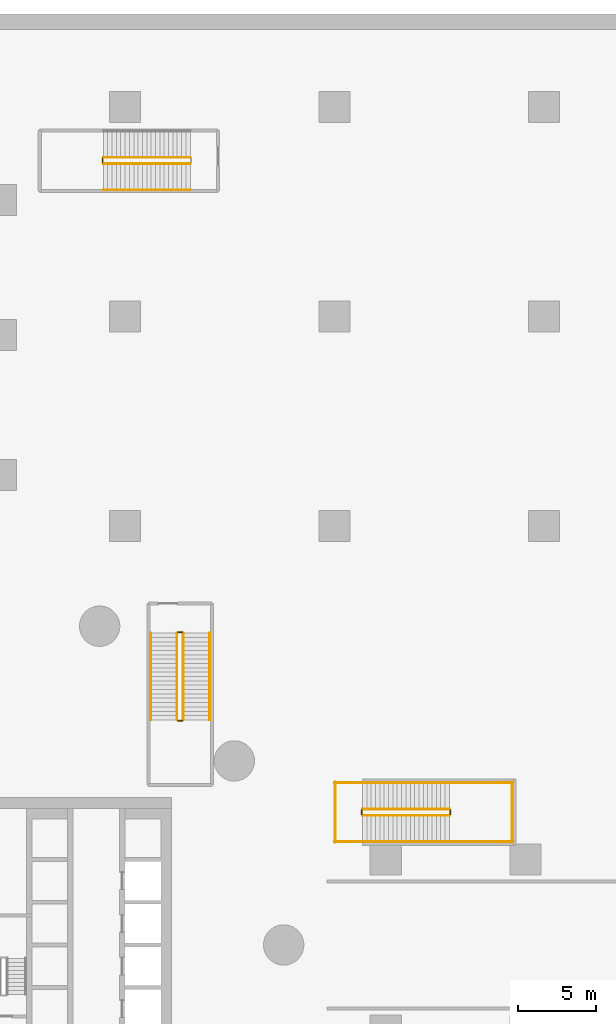
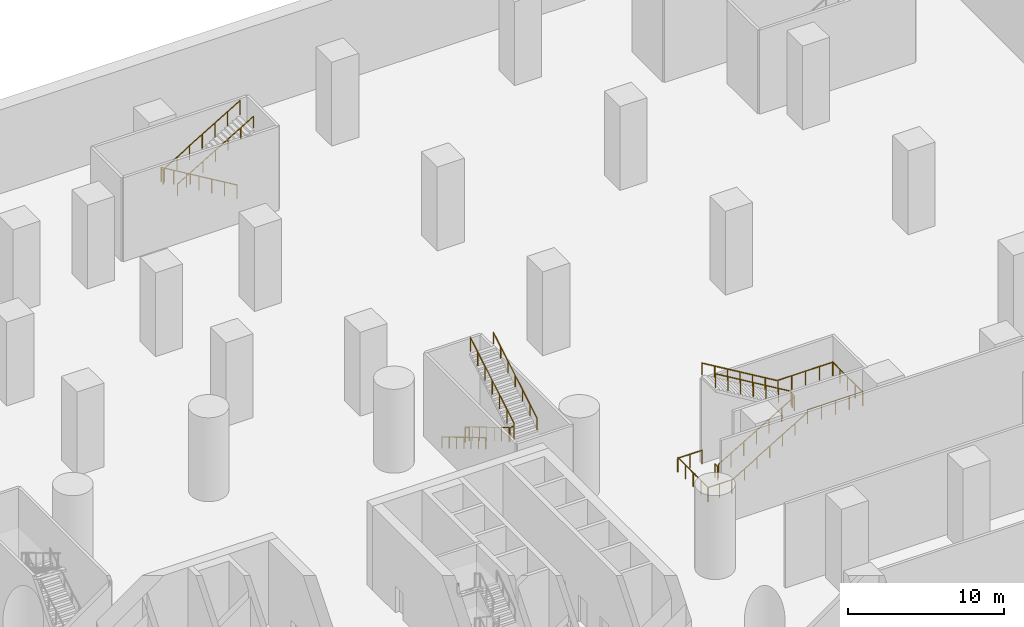
# One storey, part 26 of 30: 22 railings.
"""IFC4 building model written with IfcOpenShell, lengths in metres."""

import ifcopenshell
import ifcopenshell.guid

model = None  # the IFC model being written
_history = None  # IfcOwnerHistory: only IFC2X3 demands one
_inside = {}  # id of a spatial element -> (the spatial element, [elements in it])
_under = {}  # id of a project, library or spatial element -> (it, [spatial elements below it])
_declared = {}  # id of a project -> (the project, [libraries it declares])
_typed = {}  # id of a type object -> (the type object, [elements of that type])
_made_of = {}  # id of a material, layer set ... -> (it, [elements and type objects made of it])


def new_model(schema):
    """Start an empty IFC model of exactly this schema.

    Asked for "IFC4X3", IfcOpenShell would pick the latest addendum, in which some entities
    have other attributes; the version numbers below select the first issue.
    IFC2X3 requires an IfcOwnerHistory on every rooted entity: one is made here for all.
    """
    global model, _history
    if schema == "IFC4X3":
        model = ifcopenshell.file(schema_version=(4, 3, 0, 0))
    else:
        model = ifcopenshell.file(schema=schema)
    _inside.clear()
    _under.clear()
    _declared.clear()
    _typed.clear()
    _made_of.clear()
    _history = None
    if model.schema == "IFC2X3":
        org = make("IfcOrganization", Name="unknown")
        user = make(
            "IfcPersonAndOrganization",
            ThePerson=make("IfcPerson", FamilyName="unknown"),
            TheOrganization=org,
        )
        app = make(
            "IfcApplication",
            ApplicationDeveloper=org,
            Version="unknown",
            ApplicationFullName="unknown",
            ApplicationIdentifier="unknown",
        )
        _history = make(
            "IfcOwnerHistory",
            OwningUser=user,
            OwningApplication=app,
            ChangeAction="ADDED",
            CreationDate=0,
        )
    return model


def make(cls, **values):
    """One entity of the class cls with the attributes given. An attribute that is None is left unset."""
    return model.create_entity(
        cls, **{name: value for name, value in values.items() if value is not None}
    )


def rooted(cls, **values):
    """An entity with a GlobalId (a new one), such as an element, a storey or a relation."""
    return make(cls, GlobalId=ifcopenshell.guid.new(), OwnerHistory=_history, **values)


def si_unit(unit_type, name, prefix=None):
    """IfcSIUnit, for example si_unit("LENGTHUNIT", "METRE", prefix="MILLI")."""
    return make("IfcSIUnit", UnitType=unit_type, Prefix=prefix, Name=name)


def assignment(units):
    """IfcUnitAssignment: the units of a project."""
    return None if units is None else make("IfcUnitAssignment", Units=units)


def point(xyz):
    """IfcCartesianPoint."""
    return None if xyz is None else make("IfcCartesianPoint", Coordinates=xyz)


def direction(xyz):
    """IfcDirection."""
    return None if xyz is None else make("IfcDirection", DirectionRatios=xyz)


def frame(location, z_axis=None, x_axis=None):
    """IfcAxis2Placement3D, a coordinate frame: its origin and axes. An axis left out is left unset."""
    return make(
        "IfcAxis2Placement3D",
        Location=point(location),
        Axis=direction(z_axis),
        RefDirection=direction(x_axis),
    )


def frame_2d(location, x_axis=None):
    """IfcAxis2Placement2D, a coordinate frame in the plane: its origin and x axis."""
    return make(
        "IfcAxis2Placement2D", Location=point(location), RefDirection=direction(x_axis)
    )


def origin():
    """The frame at (0, 0, 0) with its axes left unset."""
    return frame((0.0, 0.0, 0.0))


def origin_2d():
    """The frame at (0, 0) in the plane with its x axis left unset."""
    return frame_2d((0.0, 0.0))


def place(relative_to, where):
    """IfcLocalPlacement: puts the frame where relative to a parent placement (None: the world)."""
    return make(
        "IfcLocalPlacement", PlacementRelTo=relative_to, RelativePlacement=where
    )


def context(
    kind, dimensions, precision=None, world=None, true_north=None, identifier=None
):
    """IfcGeometricRepresentationContext, for example the 3D "Model" context."""
    return make(
        "IfcGeometricRepresentationContext",
        ContextIdentifier=identifier,
        ContextType=kind,
        CoordinateSpaceDimension=dimensions,
        Precision=precision,
        WorldCoordinateSystem=world,
        TrueNorth=true_north,
    )


def subcontext(parent, identifier, kind, view, scale=None):
    """IfcGeometricRepresentationSubContext, for example "Body" below "Model"."""
    return make(
        "IfcGeometricRepresentationSubContext",
        ContextIdentifier=identifier,
        ContextType=kind,
        ParentContext=parent,
        TargetScale=scale,
        TargetView=view,
    )


def project(units=None, contexts=None):
    """IfcProject with its units and contexts."""
    return rooted(
        "IfcProject",
        Name="project",
        RepresentationContexts=contexts,
        UnitsInContext=assignment(units),
    )


def spatial(cls, under=None, at=None, **own):
    """A site, building, storey or space (cls), placed at a placement, below another one or the project."""
    s = rooted(cls, ObjectPlacement=at, **own)
    if under is not None:
        _under.setdefault(under.id(), (under, []))[1].append(s)
    return s


def profile(cls, at=None, kind="AREA", **sizes):
    """A parametric profile (cls). Its sizes go by their IFC names, for example OverallWidth=200.0."""
    return make(cls, ProfileType=kind, Position=at, **sizes)


def circle(**sizes):
    """IfcCircleProfileDef."""
    return profile("IfcCircleProfileDef", **sizes)


def extrude(swept, where, along, depth):
    """IfcExtrudedAreaSolid: the profile swept, set in the frame where, extruded along a direction by depth."""
    return make(
        "IfcExtrudedAreaSolid",
        SweptArea=swept,
        Position=where,
        ExtrudedDirection=direction(along),
        Depth=depth,
    )


def shape(context_of_items, identifier, shape_type, items):
    """IfcShapeRepresentation: the items that make up one representation, for example the "Body"."""
    return make(
        "IfcShapeRepresentation",
        ContextOfItems=context_of_items,
        RepresentationIdentifier=identifier,
        RepresentationType=shape_type,
        Items=items,
    )


def material(Name=None, Category=None):
    """IfcMaterial."""
    return make("IfcMaterial", Name=Name, Category=Category)


def made_of(thing, what):
    """Note that an element or type object is made of a material, layer set ...; save() writes the relation."""
    if what is not None:
        _made_of.setdefault(what.id(), (what, []))[1].append(thing)
    return thing


def type_object(cls, material=None, **own):
    """A type object (cls), such as IfcWallType, which elements share."""
    return made_of(rooted(cls, **own), material)


def element(
    cls,
    number,
    at=None,
    inside=None,
    cuts=None,
    type_object=None,
    material=None,
    context=None,
    identifier="Body",
    shape_type=None,
    held_by="IfcProductDefinitionShape",
    body=None,
    shapes=None,
    **own,
):
    """One element of the class cls, such as IfcWall. Its Tag is "e" and its number.

    at: its placement. inside: the storey or other place that contains it. cuts: it is an
    opening in that element (IfcRelVoidsElement). A single representation is given by context,
    identifier, shape_type and body (its items); several are given by shapes. held_by: the class
    of the entity that holds the representations. save() writes the other relations.
    """
    e = rooted(cls, Tag="e%d" % number, ObjectPlacement=at, **own)
    if body is not None:
        shapes = [shape(context, identifier, shape_type, body)]
    if shapes is not None:
        e.Representation = make(held_by, Representations=shapes)
    if inside is not None:
        _inside.setdefault(inside.id(), (inside, []))[1].append(e)
    if cuts is not None:
        rooted(
            "IfcRelVoidsElement", RelatingBuildingElement=cuts, RelatedOpeningElement=e
        )
    if type_object is not None:
        _typed.setdefault(type_object.id(), (type_object, []))[1].append(e)
    return made_of(e, material)


def aggregate(whole, parts):
    """IfcRelAggregates: a whole, such as a stair, and the parts it consists of."""
    return rooted("IfcRelAggregates", RelatingObject=whole, RelatedObjects=parts)


def save(model, path):
    """Write the relations noted so far, then the file.

    IfcRelAggregates (storeys below a building ...), IfcRelContainedInSpatialStructure (elements
    in a storey), IfcRelDefinesByType, IfcRelAssociatesMaterial and IfcRelDeclares: one each for
    every whole, place, type object, material and project.
    """
    for whole, parts in _under.values():
        aggregate(whole, parts)
    for where, things in _inside.values():
        rooted(
            "IfcRelContainedInSpatialStructure",
            RelatedElements=things,
            RelatingStructure=where,
        )
    for kind, things in _typed.values():
        rooted("IfcRelDefinesByType", RelatedObjects=things, RelatingType=kind)
    for what, things in _made_of.values():
        rooted("IfcRelAssociatesMaterial", RelatedObjects=things, RelatingMaterial=what)
    for by, libraries in _declared.values():
        rooted("IfcRelDeclares", RelatingContext=by, RelatedDefinitions=libraries)
    model.write(path)


model = new_model("IFC4")

# Units and contexts
model_context = context("Model", 3, precision=1e-05, world=origin(), true_north=direction((0.0, 1.0)))
body_context = subcontext(model_context, "Body", "Model", "MODEL_VIEW")
ifc_project = project(units=[si_unit("LENGTHUNIT", "METRE"), si_unit("AREAUNIT", "SQUARE_METRE"), si_unit("VOLUMEUNIT", "CUBIC_METRE"), si_unit("PLANEANGLEUNIT", "RADIAN"), si_unit("MASSUNIT", "GRAM", prefix="KILO")], contexts=[model_context])

# Site, building, storey
site_placement = place(None, origin())
site = spatial("IfcSite", under=ifc_project, at=site_placement, CompositionType="ELEMENT")
building_placement = place(site_placement, origin())
building = spatial("IfcBuilding", under=site, at=building_placement, Name="Tamarind Cross Interchange Tower", CompositionType="ELEMENT")
storey_placement = place(building_placement, frame((0.0, 0.0, -14.0)))
storey = spatial("IfcBuildingStorey", under=building, at=storey_placement, Name="B2", CompositionType="ELEMENT", Elevation=-14.0)

# Railings
ifc_material_1 = material(Name="Public stair guard")
railing_type_1 = type_object("IfcRailingType", Name="Public stair guard", PredefinedType="GUARDRAIL", material=ifc_material_1)
railing_1_placement = place(storey_placement, frame((28.800048828125, 8.35009765625, 0.166748046875)))
element("IfcRailing", 1, at=railing_1_placement, inside=storey, type_object=railing_type_1, Name="B2 MS-E stair guard 1", PredefinedType="GUARDRAIL", context=body_context, shape_type="SweptSolid", body=[
    extrude(circle(Radius=0.02392578125, at=origin_2d()), frame((0.0, 0.0, 1.076171875), z_axis=(0.859292492371, 0.0, 0.511484518392), x_axis=(0.0, 1.0, 0.0)), (0.0, 0.0, 1.0), 6.516845703125),
    extrude(circle(Radius=0.02099609375, at=origin_2d()), origin(), (0.0, 0.0, 1.0), 1.052001953125),
    extrude(circle(Radius=0.02099609375, at=origin_2d()), frame((0.933349609375, 0.0, 0.5556640625)), (0.0, 0.0, 1.0), 1.052001953125),
    extrude(circle(Radius=0.02099609375, at=origin_2d()), frame((1.86669921875, 0.0, 1.111083984375)), (0.0, 0.0, 1.0), 1.052001953125),
    extrude(circle(Radius=0.02099609375, at=origin_2d()), frame((2.7998046875, 0.0, 1.66650390625)), (0.0, 0.0, 1.0), 1.052001953125),
    extrude(circle(Radius=0.02099609375, at=origin_2d()), frame((3.733154296875, 0.0, 2.22216796875)), (0.0, 0.0, 1.0), 1.052001953125),
    extrude(circle(Radius=0.02099609375, at=origin_2d()), frame((4.66650390625, 0.0, 2.77783203125)), (0.0, 0.0, 1.0), 1.052001953125),
    extrude(circle(Radius=0.02099609375, at=origin_2d()), frame((5.599853515625, 0.0, 3.333251953125)), (0.0, 0.0, 1.0), 1.052001953125),
])
railing_2_placement = place(storey_placement, frame((34.449951171875, 8.39990234375, 3.5)))
element("IfcRailing", 2, at=railing_2_placement, inside=storey, type_object=railing_type_1, Name="B2 MS-E stair guard 2", PredefinedType="GUARDRAIL", context=body_context, shape_type="SweptSolid", body=[
    extrude(circle(Radius=0.02392578125, at=origin_2d()), frame((0.0, 0.0, 1.076171875), z_axis=(0.0, 1.0, 0.0), x_axis=(-1.0, 0.0, 0.0)), (0.0, 0.0, 1.0), 0.300048828125),
    extrude(circle(Radius=0.02099609375, at=origin_2d()), origin(), (0.0, 0.0, 1.0), 1.052001953125),
    extrude(circle(Radius=0.02099609375, at=origin_2d()), frame((0.0, 0.300048828125, 0.0)), (0.0, 0.0, 1.0), 1.052001953125),
])
for number, where, name in (
    (3, (34.39990234375, 6.64990234375, 3.5), "B2 MS-E stair guard 3"),
    (4, (34.39990234375, 10.449951171875, 3.5), "B2 MS-E stair guard 4"),
):
    element("IfcRailing", number, at=place(storey_placement, frame(where)), inside=storey, type_object=railing_type_1, Name=name, PredefinedType="GUARDRAIL", context=body_context, shape_type="SweptSolid", body=[
        extrude(circle(Radius=0.02392578125, at=origin_2d()), frame((0.0, 0.0, 1.076171875), z_axis=(1.0, 0.0, 0.0), x_axis=(0.0, 1.0, 0.0)), (0.0, 0.0, 1.0), 4.10009765625),
        extrude(circle(Radius=0.02099609375, at=origin_2d()), origin(), (0.0, 0.0, 1.0), 1.052001953125),
        extrude(circle(Radius=0.02099609375, at=origin_2d()), frame((1.02490234375, 0.0, 0.0)), (0.0, 0.0, 1.0), 1.052001953125),
        extrude(circle(Radius=0.02099609375, at=origin_2d()), frame((2.050048828125, 0.0, 0.0)), (0.0, 0.0, 1.0), 1.052001953125),
        extrude(circle(Radius=0.02099609375, at=origin_2d()), frame((3.0751953125, 0.0, 0.0)), (0.0, 0.0, 1.0), 1.052001953125),
        extrude(circle(Radius=0.02099609375, at=origin_2d()), frame((4.10009765625, 0.0, 0.0)), (0.0, 0.0, 1.0), 1.052001953125),
    ])
railing_3_placement = place(storey_placement, frame((38.449951171875, 6.60009765625, 3.5)))
element("IfcRailing", 5, at=railing_3_placement, inside=storey, type_object=railing_type_1, Name="B2 MS-E stair guard 5", PredefinedType="GUARDRAIL", context=body_context, shape_type="SweptSolid", body=[
    extrude(circle(Radius=0.02392578125, at=origin_2d()), frame((0.0, 0.0, 1.076171875), z_axis=(0.0, 1.0, 0.0), x_axis=(-1.0, 0.0, 0.0)), (0.0, 0.0, 1.0), 3.89990234375),
    extrude(circle(Radius=0.02099609375, at=origin_2d()), origin(), (0.0, 0.0, 1.0), 1.052001953125),
    extrude(circle(Radius=0.02099609375, at=origin_2d()), frame((0.0, 0.97509765625, 0.0)), (0.0, 0.0, 1.0), 1.052001953125),
    extrude(circle(Radius=0.02099609375, at=origin_2d()), frame((0.0, 1.949951171875, 0.0)), (0.0, 0.0, 1.0), 1.052001953125),
    extrude(circle(Radius=0.02099609375, at=origin_2d()), frame((0.0, 2.9248046875, 0.0)), (0.0, 0.0, 1.0), 1.052001953125),
    extrude(circle(Radius=0.02099609375, at=origin_2d()), frame((0.0, 3.89990234375, 0.0)), (0.0, 0.0, 1.0), 1.052001953125),
])
railing_4_placement = place(storey_placement, frame((34.39990234375, 8.75, 3.666748046875)))
element("IfcRailing", 6, at=railing_4_placement, inside=storey, type_object=railing_type_1, Name="B2 MS-E stair guard 6", PredefinedType="GUARDRAIL", context=body_context, shape_type="SweptSolid", body=[
    extrude(circle(Radius=0.02392578125, at=origin_2d()), frame((0.0, 0.0, 1.076171875), z_axis=(-0.859292492371, 0.0, 0.511484518392), x_axis=(0.0, -1.0, 0.0)), (0.0, 0.0, 1.0), 6.516845703125),
    extrude(circle(Radius=0.02099609375, at=origin_2d()), origin(), (0.0, 0.0, 1.0), 1.052001953125),
    extrude(circle(Radius=0.02099609375, at=origin_2d()), frame((-0.933349609375, 0.0, 0.5556640625)), (0.0, 0.0, 1.0), 1.052001953125),
    extrude(circle(Radius=0.02099609375, at=origin_2d()), frame((-1.86669921875, 0.0, 1.111083984375)), (0.0, 0.0, 1.0), 1.052001953125),
    extrude(circle(Radius=0.02099609375, at=origin_2d()), frame((-2.7998046875, 0.0, 1.66650390625)), (0.0, 0.0, 1.0), 1.052001953125),
    extrude(circle(Radius=0.02099609375, at=origin_2d()), frame((-3.733154296875, 0.0, 2.22216796875)), (0.0, 0.0, 1.0), 1.052001953125),
    extrude(circle(Radius=0.02099609375, at=origin_2d()), frame((-4.66650390625, 0.0, 2.77783203125)), (0.0, 0.0, 1.0), 1.052001953125),
    extrude(circle(Radius=0.02099609375, at=origin_2d()), frame((-5.599853515625, 0.0, 3.333251953125)), (0.0, 0.0, 1.0), 1.052001953125),
])
railing_5_placement = place(storey_placement, frame((28.75, 8.39990234375, 0.0)))
element("IfcRailing", 7, at=railing_5_placement, inside=storey, type_object=railing_type_1, Name="B2 MS-E stair guard 7", PredefinedType="GUARDRAIL", context=body_context, shape_type="SweptSolid", body=[
    extrude(circle(Radius=0.02392578125, at=origin_2d()), frame((0.0, 0.0, 1.076171875), z_axis=(0.0, 1.0, 0.0), x_axis=(-1.0, 0.0, 0.0)), (0.0, 0.0, 1.0), 0.300048828125),
    extrude(circle(Radius=0.02099609375, at=origin_2d()), origin(), (0.0, 0.0, 1.0), 1.052001953125),
    extrude(circle(Radius=0.02099609375, at=origin_2d()), frame((0.0, 0.300048828125, 0.0)), (0.0, 0.0, 1.0), 1.052001953125),
])
for number, where, name in (
    (8, (27.0, 6.64990234375, 0.0), "B2 MS-E stair guard 8"),
    (9, (27.0, 10.449951171875, 0.0), "B2 MS-E stair guard 9"),
):
    element("IfcRailing", number, at=place(storey_placement, frame(where)), inside=storey, type_object=railing_type_1, Name=name, PredefinedType="GUARDRAIL", context=body_context, shape_type="SweptSolid", body=[
        extrude(circle(Radius=0.02392578125, at=origin_2d()), frame((0.0, 0.0, 1.076171875), z_axis=(1.0, 0.0, 0.0), x_axis=(0.0, 1.0, 0.0)), (0.0, 0.0, 1.0), 1.800048828125),
        extrude(circle(Radius=0.02099609375, at=origin_2d()), origin(), (0.0, 0.0, 1.0), 1.052001953125),
        extrude(circle(Radius=0.02099609375, at=origin_2d()), frame((0.89990234375, 0.0, 0.0)), (0.0, 0.0, 1.0), 1.052001953125),
        extrude(circle(Radius=0.02099609375, at=origin_2d()), frame((1.800048828125, 0.0, 0.0)), (0.0, 0.0, 1.0), 1.052001953125),
    ])
railing_6_placement = place(storey_placement, frame((27.050048828125, 6.60009765625, 0.0)))
element("IfcRailing", 10, at=railing_6_placement, inside=storey, type_object=railing_type_1, Name="B2 MS-E stair guard 10", PredefinedType="GUARDRAIL", context=body_context, shape_type="SweptSolid", body=[
    extrude(circle(Radius=0.02392578125, at=origin_2d()), frame((0.0, 0.0, 1.076171875), z_axis=(0.0, 1.0, 0.0), x_axis=(-1.0, 0.0, 0.0)), (0.0, 0.0, 1.0), 3.89990234375),
    extrude(circle(Radius=0.02099609375, at=origin_2d()), origin(), (0.0, 0.0, 1.0), 1.052001953125),
    extrude(circle(Radius=0.02099609375, at=origin_2d()), frame((0.0, 0.97509765625, 0.0)), (0.0, 0.0, 1.0), 1.052001953125),
    extrude(circle(Radius=0.02099609375, at=origin_2d()), frame((0.0, 1.949951171875, 0.0)), (0.0, 0.0, 1.0), 1.052001953125),
    extrude(circle(Radius=0.02099609375, at=origin_2d()), frame((0.0, 2.9248046875, 0.0)), (0.0, 0.0, 1.0), 1.052001953125),
    extrude(circle(Radius=0.02099609375, at=origin_2d()), frame((0.0, 3.89990234375, 0.0)), (0.0, 0.0, 1.0), 1.052001953125),
])
railing_7_placement = place(storey_placement, frame((16.85009765625, 20.10009765625, 0.166748046875)))
element("IfcRailing", 11, at=railing_7_placement, inside=storey, type_object=railing_type_1, Name="B2 XS-E stair guard 1", PredefinedType="GUARDRAIL", context=body_context, shape_type="SweptSolid", body=[
    extrude(circle(Radius=0.02392578125, at=origin_2d()), frame((0.0, 0.0, 1.076171875), z_axis=(0.0, -0.859302292876, 0.511468053214), x_axis=(1.0, 0.0, 0.0)), (0.0, 0.0, 1.0), 6.51708984375),
    extrude(circle(Radius=0.02099609375, at=origin_2d()), origin(), (0.0, 0.0, 1.0), 1.052001953125),
    extrude(circle(Radius=0.02099609375, at=origin_2d()), frame((0.0, -0.933349609375, 0.5556640625)), (0.0, 0.0, 1.0), 1.052001953125),
    extrude(circle(Radius=0.02099609375, at=origin_2d()), frame((0.0, -1.86669921875, 1.111083984375)), (0.0, 0.0, 1.0), 1.052001953125),
    extrude(circle(Radius=0.02099609375, at=origin_2d()), frame((0.0, -2.800048828125, 1.66650390625)), (0.0, 0.0, 1.0), 1.052001953125),
    extrude(circle(Radius=0.02099609375, at=origin_2d()), frame((0.0, -3.7333984375, 2.22216796875)), (0.0, 0.0, 1.0), 1.052001953125),
    extrude(circle(Radius=0.02099609375, at=origin_2d()), frame((0.0, -4.666748046875, 2.77783203125)), (0.0, 0.0, 1.0), 1.052001953125),
    extrude(circle(Radius=0.02099609375, at=origin_2d()), frame((0.0, -5.60009765625, 3.333251953125)), (0.0, 0.0, 1.0), 1.052001953125),
])
railing_8_placement = place(storey_placement, frame((16.89990234375, 14.449951171875, 3.5)))
element("IfcRailing", 12, at=railing_8_placement, inside=storey, type_object=railing_type_1, Name="B2 XS-E stair guard 2", PredefinedType="GUARDRAIL", context=body_context, shape_type="SweptSolid", body=[
    extrude(circle(Radius=0.02392578125, at=origin_2d()), frame((0.0, 0.0, 1.076171875), z_axis=(1.0, 0.0, 0.0), x_axis=(0.0, 1.0, 0.0)), (0.0, 0.0, 1.0), 0.300048828125),
    extrude(circle(Radius=0.02099609375, at=origin_2d()), origin(), (0.0, 0.0, 1.0), 1.052001953125),
    extrude(circle(Radius=0.02099609375, at=origin_2d()), frame((0.300048828125, 0.0, 0.0)), (0.0, 0.0, 1.0), 1.052001953125),
])
railing_9_placement = place(storey_placement, frame((17.25, 14.5, 3.666748046875)))
element("IfcRailing", 13, at=railing_9_placement, inside=storey, type_object=railing_type_1, Name="B2 XS-E stair guard 3", PredefinedType="GUARDRAIL", context=body_context, shape_type="SweptSolid", body=[
    extrude(circle(Radius=0.02392578125, at=origin_2d()), frame((0.0, 0.0, 1.076171875), z_axis=(0.0, 0.859302292876, 0.511468053214), x_axis=(-1.0, 0.0, 0.0)), (0.0, 0.0, 1.0), 6.51708984375),
    extrude(circle(Radius=0.02099609375, at=origin_2d()), origin(), (0.0, 0.0, 1.0), 1.052001953125),
    extrude(circle(Radius=0.02099609375, at=origin_2d()), frame((0.0, 0.933349609375, 0.5556640625)), (0.0, 0.0, 1.0), 1.052001953125),
    extrude(circle(Radius=0.02099609375, at=origin_2d()), frame((0.0, 1.86669921875, 1.111083984375)), (0.0, 0.0, 1.0), 1.052001953125),
    extrude(circle(Radius=0.02099609375, at=origin_2d()), frame((0.0, 2.800048828125, 1.66650390625)), (0.0, 0.0, 1.0), 1.052001953125),
    extrude(circle(Radius=0.02099609375, at=origin_2d()), frame((0.0, 3.7333984375, 2.22216796875)), (0.0, 0.0, 1.0), 1.052001953125),
    extrude(circle(Radius=0.02099609375, at=origin_2d()), frame((0.0, 4.666748046875, 2.77783203125)), (0.0, 0.0, 1.0), 1.052001953125),
    extrude(circle(Radius=0.02099609375, at=origin_2d()), frame((0.0, 5.60009765625, 3.333251953125)), (0.0, 0.0, 1.0), 1.052001953125),
])
railing_10_placement = place(storey_placement, frame((16.89990234375, 20.14990234375, 0.0)))
element("IfcRailing", 14, at=railing_10_placement, inside=storey, type_object=railing_type_1, Name="B2 XS-E stair guard 4", PredefinedType="GUARDRAIL", context=body_context, shape_type="SweptSolid", body=[
    extrude(circle(Radius=0.02392578125, at=origin_2d()), frame((0.0, 0.0, 1.076171875), z_axis=(1.0, 0.0, 0.0), x_axis=(0.0, 1.0, 0.0)), (0.0, 0.0, 1.0), 0.300048828125),
    extrude(circle(Radius=0.02099609375, at=origin_2d()), origin(), (0.0, 0.0, 1.0), 1.052001953125),
    extrude(circle(Radius=0.02099609375, at=origin_2d()), frame((0.300048828125, 0.0, 0.0)), (0.0, 0.0, 1.0), 1.052001953125),
])
railing_11_placement = place(storey_placement, frame((17.699951171875, 50.75, 0.166748046875)))
element("IfcRailing", 15, at=railing_11_placement, inside=storey, type_object=railing_type_1, Name="B2 XS-P03 stair guard 1", PredefinedType="GUARDRAIL", context=body_context, shape_type="SweptSolid", body=[
    extrude(circle(Radius=0.02392578125, at=origin_2d()), frame((0.0, 0.0, 1.076171875), z_axis=(-0.859292492371, 0.0, 0.511484518392), x_axis=(0.0, -1.0, 0.0)), (0.0, 0.0, 1.0), 6.516845703125),
    extrude(circle(Radius=0.02099609375, at=origin_2d()), origin(), (0.0, 0.0, 1.0), 1.052001953125),
    extrude(circle(Radius=0.02099609375, at=origin_2d()), frame((-0.933349609375, 0.0, 0.5556640625)), (0.0, 0.0, 1.0), 1.052001953125),
    extrude(circle(Radius=0.02099609375, at=origin_2d()), frame((-1.86669921875, 0.0, 1.111083984375)), (0.0, 0.0, 1.0), 1.052001953125),
    extrude(circle(Radius=0.02099609375, at=origin_2d()), frame((-2.7998046875, 0.0, 1.66650390625)), (0.0, 0.0, 1.0), 1.052001953125),
    extrude(circle(Radius=0.02099609375, at=origin_2d()), frame((-3.733154296875, 0.0, 2.22216796875)), (0.0, 0.0, 1.0), 1.052001953125),
    extrude(circle(Radius=0.02099609375, at=origin_2d()), frame((-4.66650390625, 0.0, 2.77783203125)), (0.0, 0.0, 1.0), 1.052001953125),
    extrude(circle(Radius=0.02099609375, at=origin_2d()), frame((-5.599853515625, 0.0, 3.333251953125)), (0.0, 0.0, 1.0), 1.052001953125),
])
railing_12_placement = place(storey_placement, frame((12.050048828125, 50.699951171875, 3.5)))
element("IfcRailing", 16, at=railing_12_placement, inside=storey, type_object=railing_type_1, Name="B2 XS-P03 stair guard 2", PredefinedType="GUARDRAIL", context=body_context, shape_type="SweptSolid", body=[
    extrude(circle(Radius=0.02392578125, at=origin_2d()), frame((0.0, 0.0, 1.076171875), z_axis=(0.0, -1.0, 0.0), x_axis=(1.0, 0.0, 0.0)), (0.0, 0.0, 1.0), 0.300048828125),
    extrude(circle(Radius=0.02099609375, at=origin_2d()), origin(), (0.0, 0.0, 1.0), 1.052001953125),
    extrude(circle(Radius=0.02099609375, at=origin_2d()), frame((0.0, -0.300048828125, 0.0)), (0.0, 0.0, 1.0), 1.052001953125),
])
railing_13_placement = place(storey_placement, frame((12.10009765625, 50.35009765625, 3.666748046875)))
element("IfcRailing", 17, at=railing_13_placement, inside=storey, type_object=railing_type_1, Name="B2 XS-P03 stair guard 3", PredefinedType="GUARDRAIL", context=body_context, shape_type="SweptSolid", body=[
    extrude(circle(Radius=0.02392578125, at=origin_2d()), frame((0.0, 0.0, 1.076171875), z_axis=(0.859292492371, 0.0, 0.511484518392), x_axis=(0.0, 1.0, 0.0)), (0.0, 0.0, 1.0), 6.516845703125),
    extrude(circle(Radius=0.02099609375, at=origin_2d()), origin(), (0.0, 0.0, 1.0), 1.052001953125),
    extrude(circle(Radius=0.02099609375, at=origin_2d()), frame((0.933349609375, 0.0, 0.5556640625)), (0.0, 0.0, 1.0), 1.052001953125),
    extrude(circle(Radius=0.02099609375, at=origin_2d()), frame((1.86669921875, 0.0, 1.111083984375)), (0.0, 0.0, 1.0), 1.052001953125),
    extrude(circle(Radius=0.02099609375, at=origin_2d()), frame((2.7998046875, 0.0, 1.66650390625)), (0.0, 0.0, 1.0), 1.052001953125),
    extrude(circle(Radius=0.02099609375, at=origin_2d()), frame((3.733154296875, 0.0, 2.22216796875)), (0.0, 0.0, 1.0), 1.052001953125),
    extrude(circle(Radius=0.02099609375, at=origin_2d()), frame((4.66650390625, 0.0, 2.77783203125)), (0.0, 0.0, 1.0), 1.052001953125),
    extrude(circle(Radius=0.02099609375, at=origin_2d()), frame((5.599853515625, 0.0, 3.333251953125)), (0.0, 0.0, 1.0), 1.052001953125),
])
ifc_material_2 = material(Name="Public stair handrail")
railing_type_2 = type_object("IfcRailingType", Name="Public stair handrail", PredefinedType="HANDRAIL", material=ifc_material_2)
railing_14_placement = place(storey_placement, frame((28.800048828125, 6.64990234375, 0.166748046875)))
element("IfcRailing", 18, at=railing_14_placement, inside=storey, type_object=railing_type_2, Name="B2 MS-E stair handrail 1", PredefinedType="HANDRAIL", context=body_context, shape_type="SweptSolid", body=[
    extrude(circle(Radius=0.02392578125, at=origin_2d()), frame((0.0, 0.0, 0.8759765625), z_axis=(0.859292492371, 0.0, 0.511484518392), x_axis=(0.0, 1.0, 0.0)), (0.0, 0.0, 1.0), 6.516845703125),
    extrude(circle(Radius=0.02099609375, at=origin_2d()), origin(), (0.0, 0.0, 1.0), 0.851806640625),
    extrude(circle(Radius=0.02099609375, at=origin_2d()), frame((0.933349609375, 0.0, 0.5556640625)), (0.0, 0.0, 1.0), 0.851806640625),
    extrude(circle(Radius=0.02099609375, at=origin_2d()), frame((1.86669921875, 0.0, 1.111083984375)), (0.0, 0.0, 1.0), 0.851806640625),
    extrude(circle(Radius=0.02099609375, at=origin_2d()), frame((2.7998046875, 0.0, 1.66650390625)), (0.0, 0.0, 1.0), 0.851806640625),
    extrude(circle(Radius=0.02099609375, at=origin_2d()), frame((3.733154296875, 0.0, 2.22216796875)), (0.0, 0.0, 1.0), 0.851806640625),
    extrude(circle(Radius=0.02099609375, at=origin_2d()), frame((4.66650390625, 0.0, 2.77783203125)), (0.0, 0.0, 1.0), 0.851806640625),
    extrude(circle(Radius=0.02099609375, at=origin_2d()), frame((5.599853515625, 0.0, 3.333251953125)), (0.0, 0.0, 1.0), 0.851806640625),
])
railing_15_placement = place(storey_placement, frame((34.39990234375, 10.449951171875, 3.666748046875)))
element("IfcRailing", 19, at=railing_15_placement, inside=storey, type_object=railing_type_2, Name="B2 MS-E stair handrail 2", PredefinedType="HANDRAIL", context=body_context, shape_type="SweptSolid", body=[
    extrude(circle(Radius=0.02392578125, at=origin_2d()), frame((0.0, 0.0, 0.8759765625), z_axis=(-0.859292492371, 0.0, 0.511484518392), x_axis=(0.0, -1.0, 0.0)), (0.0, 0.0, 1.0), 6.516845703125),
    extrude(circle(Radius=0.02099609375, at=origin_2d()), origin(), (0.0, 0.0, 1.0), 0.851806640625),
    extrude(circle(Radius=0.02099609375, at=origin_2d()), frame((-0.933349609375, 0.0, 0.5556640625)), (0.0, 0.0, 1.0), 0.851806640625),
    extrude(circle(Radius=0.02099609375, at=origin_2d()), frame((-1.86669921875, 0.0, 1.111083984375)), (0.0, 0.0, 1.0), 0.851806640625),
    extrude(circle(Radius=0.02099609375, at=origin_2d()), frame((-2.7998046875, 0.0, 1.66650390625)), (0.0, 0.0, 1.0), 0.851806640625),
    extrude(circle(Radius=0.02099609375, at=origin_2d()), frame((-3.733154296875, 0.0, 2.22216796875)), (0.0, 0.0, 1.0), 0.851806640625),
    extrude(circle(Radius=0.02099609375, at=origin_2d()), frame((-4.66650390625, 0.0, 2.77783203125)), (0.0, 0.0, 1.0), 0.851806640625),
    extrude(circle(Radius=0.02099609375, at=origin_2d()), frame((-5.599853515625, 0.0, 3.333251953125)), (0.0, 0.0, 1.0), 0.851806640625),
])
railing_16_placement = place(storey_placement, frame((15.14990234375, 20.10009765625, 0.166748046875)))
element("IfcRailing", 20, at=railing_16_placement, inside=storey, type_object=railing_type_2, Name="B2 XS-E stair handrail 1", PredefinedType="HANDRAIL", context=body_context, shape_type="SweptSolid", body=[
    extrude(circle(Radius=0.02392578125, at=origin_2d()), frame((0.0, 0.0, 0.8759765625), z_axis=(0.0, -0.859302292876, 0.511468053214), x_axis=(1.0, 0.0, 0.0)), (0.0, 0.0, 1.0), 6.51708984375),
    extrude(circle(Radius=0.02099609375, at=origin_2d()), origin(), (0.0, 0.0, 1.0), 0.851806640625),
    extrude(circle(Radius=0.02099609375, at=origin_2d()), frame((0.0, -0.933349609375, 0.5556640625)), (0.0, 0.0, 1.0), 0.851806640625),
    extrude(circle(Radius=0.02099609375, at=origin_2d()), frame((0.0, -1.86669921875, 1.111083984375)), (0.0, 0.0, 1.0), 0.851806640625),
    extrude(circle(Radius=0.02099609375, at=origin_2d()), frame((0.0, -2.800048828125, 1.66650390625)), (0.0, 0.0, 1.0), 0.851806640625),
    extrude(circle(Radius=0.02099609375, at=origin_2d()), frame((0.0, -3.7333984375, 2.22216796875)), (0.0, 0.0, 1.0), 0.851806640625),
    extrude(circle(Radius=0.02099609375, at=origin_2d()), frame((0.0, -4.666748046875, 2.77783203125)), (0.0, 0.0, 1.0), 0.851806640625),
    extrude(circle(Radius=0.02099609375, at=origin_2d()), frame((0.0, -5.60009765625, 3.333251953125)), (0.0, 0.0, 1.0), 0.851806640625),
])
railing_17_placement = place(storey_placement, frame((18.949951171875, 14.5, 3.666748046875)))
element("IfcRailing", 21, at=railing_17_placement, inside=storey, type_object=railing_type_2, Name="B2 XS-E stair handrail 2", PredefinedType="HANDRAIL", context=body_context, shape_type="SweptSolid", body=[
    extrude(circle(Radius=0.02392578125, at=origin_2d()), frame((0.0, 0.0, 0.8759765625), z_axis=(0.0, 0.859302292876, 0.511468053214), x_axis=(-1.0, 0.0, 0.0)), (0.0, 0.0, 1.0), 6.51708984375),
    extrude(circle(Radius=0.02099609375, at=origin_2d()), origin(), (0.0, 0.0, 1.0), 0.851806640625),
    extrude(circle(Radius=0.02099609375, at=origin_2d()), frame((0.0, 0.933349609375, 0.5556640625)), (0.0, 0.0, 1.0), 0.851806640625),
    extrude(circle(Radius=0.02099609375, at=origin_2d()), frame((0.0, 1.86669921875, 1.111083984375)), (0.0, 0.0, 1.0), 0.851806640625),
    extrude(circle(Radius=0.02099609375, at=origin_2d()), frame((0.0, 2.800048828125, 1.66650390625)), (0.0, 0.0, 1.0), 0.851806640625),
    extrude(circle(Radius=0.02099609375, at=origin_2d()), frame((0.0, 3.7333984375, 2.22216796875)), (0.0, 0.0, 1.0), 0.851806640625),
    extrude(circle(Radius=0.02099609375, at=origin_2d()), frame((0.0, 4.666748046875, 2.77783203125)), (0.0, 0.0, 1.0), 0.851806640625),
    extrude(circle(Radius=0.02099609375, at=origin_2d()), frame((0.0, 5.60009765625, 3.333251953125)), (0.0, 0.0, 1.0), 0.851806640625),
])
railing_18_placement = place(storey_placement, frame((12.10009765625, 48.64990234375, 3.666748046875)))
element("IfcRailing", 22, at=railing_18_placement, inside=storey, type_object=railing_type_2, Name="B2 XS-P03 stair handrail 2", PredefinedType="HANDRAIL", context=body_context, shape_type="SweptSolid", body=[
    extrude(circle(Radius=0.02392578125, at=origin_2d()), frame((0.0, 0.0, 0.8759765625), z_axis=(0.859292492371, 0.0, 0.511484518392), x_axis=(0.0, 1.0, 0.0)), (0.0, 0.0, 1.0), 6.516845703125),
    extrude(circle(Radius=0.02099609375, at=origin_2d()), origin(), (0.0, 0.0, 1.0), 0.851806640625),
    extrude(circle(Radius=0.02099609375, at=origin_2d()), frame((0.933349609375, 0.0, 0.5556640625)), (0.0, 0.0, 1.0), 0.851806640625),
    extrude(circle(Radius=0.02099609375, at=origin_2d()), frame((1.86669921875, 0.0, 1.111083984375)), (0.0, 0.0, 1.0), 0.851806640625),
    extrude(circle(Radius=0.02099609375, at=origin_2d()), frame((2.7998046875, 0.0, 1.66650390625)), (0.0, 0.0, 1.0), 0.851806640625),
    extrude(circle(Radius=0.02099609375, at=origin_2d()), frame((3.733154296875, 0.0, 2.22216796875)), (0.0, 0.0, 1.0), 0.851806640625),
    extrude(circle(Radius=0.02099609375, at=origin_2d()), frame((4.66650390625, 0.0, 2.77783203125)), (0.0, 0.0, 1.0), 0.851806640625),
    extrude(circle(Radius=0.02099609375, at=origin_2d()), frame((5.599853515625, 0.0, 3.333251953125)), (0.0, 0.0, 1.0), 0.851806640625),
])

save(model, "model.ifc")
